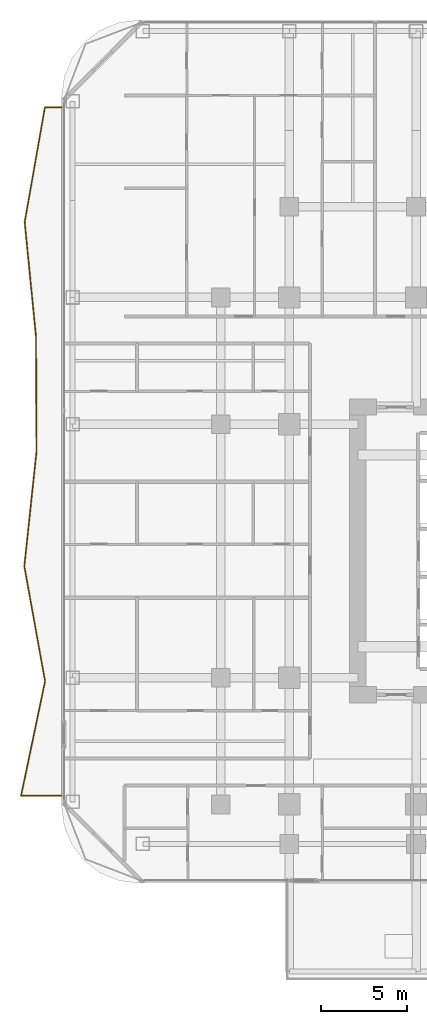
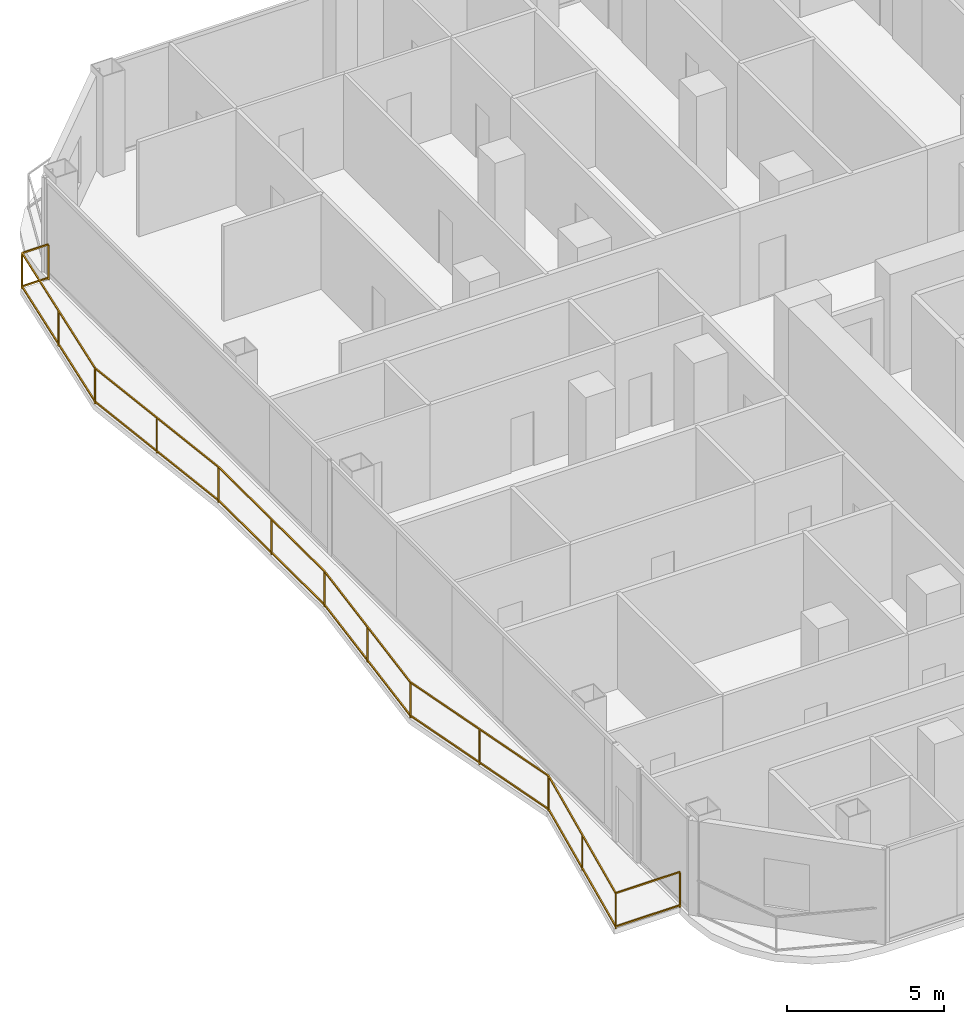
# One storey, part 26 of 29: 1 railing.
"""IFC4 building model written with IfcOpenShell, lengths in metres."""

from ifc_helpers import new_model, si_unit, direction, frame, origin, origin_2d, place, context, subcontext, project, spatial, rectangle, extrude, material, type_object, element, save


model = new_model("IFC4")

# Units and contexts
model_context = context("Model", 3, precision=1e-05, world=origin(), true_north=direction((0.0, 1.0)))
body_context = subcontext(model_context, "Body", "Model", "MODEL_VIEW")
ifc_project = project(units=[si_unit("LENGTHUNIT", "METRE"), si_unit("AREAUNIT", "SQUARE_METRE"), si_unit("VOLUMEUNIT", "CUBIC_METRE"), si_unit("PLANEANGLEUNIT", "RADIAN"), si_unit("MASSUNIT", "GRAM", prefix="KILO")], contexts=[model_context])

# Site, building, storey
site_placement = place(None, origin())
site = spatial("IfcSite", under=ifc_project, at=site_placement, CompositionType="ELEMENT")
building_placement = place(site_placement, origin())
building = spatial("IfcBuilding", under=site, at=building_placement, Name="Khorvyn Point Tower", CompositionType="ELEMENT")
storey_placement = place(building_placement, frame((0.0, 0.0, 85.199951171875)))
storey = spatial("IfcBuildingStorey", under=building, at=storey_placement, Name="L21", CompositionType="ELEMENT", Elevation=85.199951171875)

# Railing
ifc_material = material(Name="Anodised aluminium 6063-T6 and laminated safety glass", Category="aluminium")
railing_type = type_object("IfcRailingType", Name="Laminated Glass and Aluminium Balcony Guardrail 1400", PredefinedType="BALUSTRADE", material=ifc_material)
railing_placement = place(storey_placement, frame((-28.10009765625, 25.89990234375, 0.0)))
element("IfcRailing", 1, at=railing_placement, inside=storey, type_object=railing_type, Name="L21 West Balcony Guardrail", PredefinedType="BALUSTRADE", context=body_context, shape_type="SweptSolid", body=[
    extrude(rectangle(XDim=0.048095703125, YDim=0.048095703125, at=origin_2d()), frame((0.0, 0.0, 1.3759765625), z_axis=(-1.0, 0.0, 0.0), x_axis=(0.0, -1.0, 0.0)), (0.0, 0.0, 1.0), 0.968017578125),
    extrude(rectangle(XDim=0.048095703125, YDim=0.048095703125, at=origin_2d()), frame((0.0, 0.0, 0.080078125), z_axis=(-1.0, 0.0, 0.0), x_axis=(0.0, -1.0, 0.0)), (0.0, 0.0, 1.0), 0.968017578125),
    extrude(rectangle(XDim=0.048095703125, YDim=0.048095703125, at=origin_2d()), frame((-0.968017578125, 0.0, 1.3759765625), z_axis=(-0.173650219531, -0.984807392974, 0.0), x_axis=(0.984807392974, -0.173650219531, 0.0)), (0.0, 0.0, 1.0), 6.80322265625),
    extrude(rectangle(XDim=0.048095703125, YDim=0.048095703125, at=origin_2d()), frame((-0.968017578125, 0.0, 0.080078125), z_axis=(-0.173650219531, -0.984807392974, 0.0), x_axis=(0.984807392974, -0.173650219531, 0.0)), (0.0, 0.0, 1.0), 6.80322265625),
    extrude(rectangle(XDim=0.048095703125, YDim=0.048095703125, at=origin_2d()), frame((-2.1494140625, -6.699951171875, 1.3759765625), z_axis=(0.098200318385, -0.995166668186, 0.0), x_axis=(0.995166668186, 0.098200318385, 0.0)), (0.0, 0.0, 1.0), 6.732421875),
    extrude(rectangle(XDim=0.048095703125, YDim=0.048095703125, at=origin_2d()), frame((-2.1494140625, -6.699951171875, 0.080078125), z_axis=(0.098200318385, -0.995166668186, 0.0), x_axis=(0.995166668186, 0.098200318385, 0.0)), (0.0, 0.0, 1.0), 6.732421875),
    extrude(rectangle(XDim=0.048095703125, YDim=0.048095703125, at=origin_2d()), frame((-1.48828125, -13.39990234375, 1.3759765625), z_axis=(0.004117590718, -0.999991522687, 0.0), x_axis=(0.999991522687, 0.004117590718, 0.0)), (0.0, 0.0, 1.0), 6.699951171875),
    extrude(rectangle(XDim=0.048095703125, YDim=0.048095703125, at=origin_2d()), frame((-1.48828125, -13.39990234375, 0.080078125), z_axis=(0.004117590718, -0.999991522687, 0.0), x_axis=(0.999991522687, 0.004117590718, 0.0)), (0.0, 0.0, 1.0), 6.699951171875),
    extrude(rectangle(XDim=0.048095703125, YDim=0.048095703125, at=origin_2d()), frame((-1.460693359375, -20.099853515625, 1.3759765625), z_axis=(-0.105303466428, -0.994440133924, 0.0), x_axis=(0.994440133924, -0.105303466428, 0.0)), (0.0, 0.0, 1.0), 6.7373046875),
    extrude(rectangle(XDim=0.048095703125, YDim=0.048095703125, at=origin_2d()), frame((-1.460693359375, -20.099853515625, 0.080078125), z_axis=(-0.105303466428, -0.994440133924, 0.0), x_axis=(0.994440133924, -0.105303466428, 0.0)), (0.0, 0.0, 1.0), 6.7373046875),
    extrude(rectangle(XDim=0.048095703125, YDim=0.048095703125, at=origin_2d()), frame((-2.170166015625, -26.7998046875, 1.3759765625), z_axis=(0.177780918021, -0.984070091603, 0.0), x_axis=(0.984070091603, 0.177780918021, 0.0)), (0.0, 0.0, 1.0), 6.80859375),
    extrude(rectangle(XDim=0.048095703125, YDim=0.048095703125, at=origin_2d()), frame((-2.170166015625, -26.7998046875, 0.080078125), z_axis=(0.177780918021, -0.984070091603, 0.0), x_axis=(0.984070091603, 0.177780918021, 0.0)), (0.0, 0.0, 1.0), 6.80859375),
    extrude(rectangle(XDim=0.048095703125, YDim=0.048095703125, at=origin_2d()), frame((-0.959716796875, -33.5, 1.3759765625), z_axis=(-0.204901296283, -0.978782641234, 0.0), x_axis=(0.978782641234, -0.204901296283, 0.0)), (0.0, 0.0, 1.0), 6.84521484375),
    extrude(rectangle(XDim=0.048095703125, YDim=0.048095703125, at=origin_2d()), frame((-0.959716796875, -33.5, 0.080078125), z_axis=(-0.204901296283, -0.978782641234, 0.0), x_axis=(0.978782641234, -0.204901296283, 0.0)), (0.0, 0.0, 1.0), 6.84521484375),
    extrude(rectangle(XDim=0.048095703125, YDim=0.048095703125, at=origin_2d()), frame((-2.3623046875, -40.199951171875, 1.3759765625), z_axis=(1.0, 0.0, 0.0), x_axis=(0.0, 1.0, 0.0)), (0.0, 0.0, 1.0), 2.3623046875),
    extrude(rectangle(XDim=0.048095703125, YDim=0.048095703125, at=origin_2d()), frame((-2.3623046875, -40.199951171875, 0.080078125), z_axis=(1.0, 0.0, 0.0), x_axis=(0.0, 1.0, 0.0)), (0.0, 0.0, 1.0), 2.3623046875),
    extrude(rectangle(XDim=0.0419921875, YDim=0.0419921875, at=origin_2d()), origin(), (0.0, 0.0, 1.0), 1.351806640625),
    extrude(rectangle(XDim=0.0419921875, YDim=0.0419921875, at=origin_2d()), frame((-0.968017578125, 0.0, 0.0)), (0.0, 0.0, 1.0), 1.351806640625),
    extrude(rectangle(XDim=0.0419921875, YDim=0.0419921875, at=origin_2d()), frame((-1.55859375, -3.35009765625, 0.0)), (0.0, 0.0, 1.0), 1.351806640625),
    extrude(rectangle(XDim=0.0419921875, YDim=0.0419921875, at=origin_2d()), frame((-2.1494140625, -6.699951171875, 0.0)), (0.0, 0.0, 1.0), 1.351806640625),
    extrude(rectangle(XDim=0.0419921875, YDim=0.0419921875, at=origin_2d()), frame((-1.81884765625, -10.0498046875, 0.0)), (0.0, 0.0, 1.0), 1.351806640625),
    extrude(rectangle(XDim=0.0419921875, YDim=0.0419921875, at=origin_2d()), frame((-1.48828125, -13.39990234375, 0.0)), (0.0, 0.0, 1.0), 1.351806640625),
    extrude(rectangle(XDim=0.0419921875, YDim=0.0419921875, at=origin_2d()), frame((-1.474609375, -16.75, 0.0)), (0.0, 0.0, 1.0), 1.351806640625),
    extrude(rectangle(XDim=0.0419921875, YDim=0.0419921875, at=origin_2d()), frame((-1.460693359375, -20.099853515625, 0.0)), (0.0, 0.0, 1.0), 1.351806640625),
    extrude(rectangle(XDim=0.0419921875, YDim=0.0419921875, at=origin_2d()), frame((-1.8154296875, -23.44970703125, 0.0)), (0.0, 0.0, 1.0), 1.351806640625),
    extrude(rectangle(XDim=0.0419921875, YDim=0.0419921875, at=origin_2d()), frame((-2.170166015625, -26.7998046875, 0.0)), (0.0, 0.0, 1.0), 1.351806640625),
    extrude(rectangle(XDim=0.0419921875, YDim=0.0419921875, at=origin_2d()), frame((-1.56494140625, -30.14990234375, 0.0)), (0.0, 0.0, 1.0), 1.351806640625),
    extrude(rectangle(XDim=0.0419921875, YDim=0.0419921875, at=origin_2d()), frame((-0.959716796875, -33.5, 0.0)), (0.0, 0.0, 1.0), 1.351806640625),
    extrude(rectangle(XDim=0.0419921875, YDim=0.0419921875, at=origin_2d()), frame((-1.6611328125, -36.85009765625, 0.0)), (0.0, 0.0, 1.0), 1.351806640625),
    extrude(rectangle(XDim=0.0419921875, YDim=0.0419921875, at=origin_2d()), frame((-2.3623046875, -40.199951171875, 0.0)), (0.0, 0.0, 1.0), 1.351806640625),
    extrude(rectangle(XDim=0.0419921875, YDim=0.0419921875, at=origin_2d()), frame((0.0, -40.199951171875, 0.0)), (0.0, 0.0, 1.0), 1.351806640625),
])

save(model, "model.ifc")
